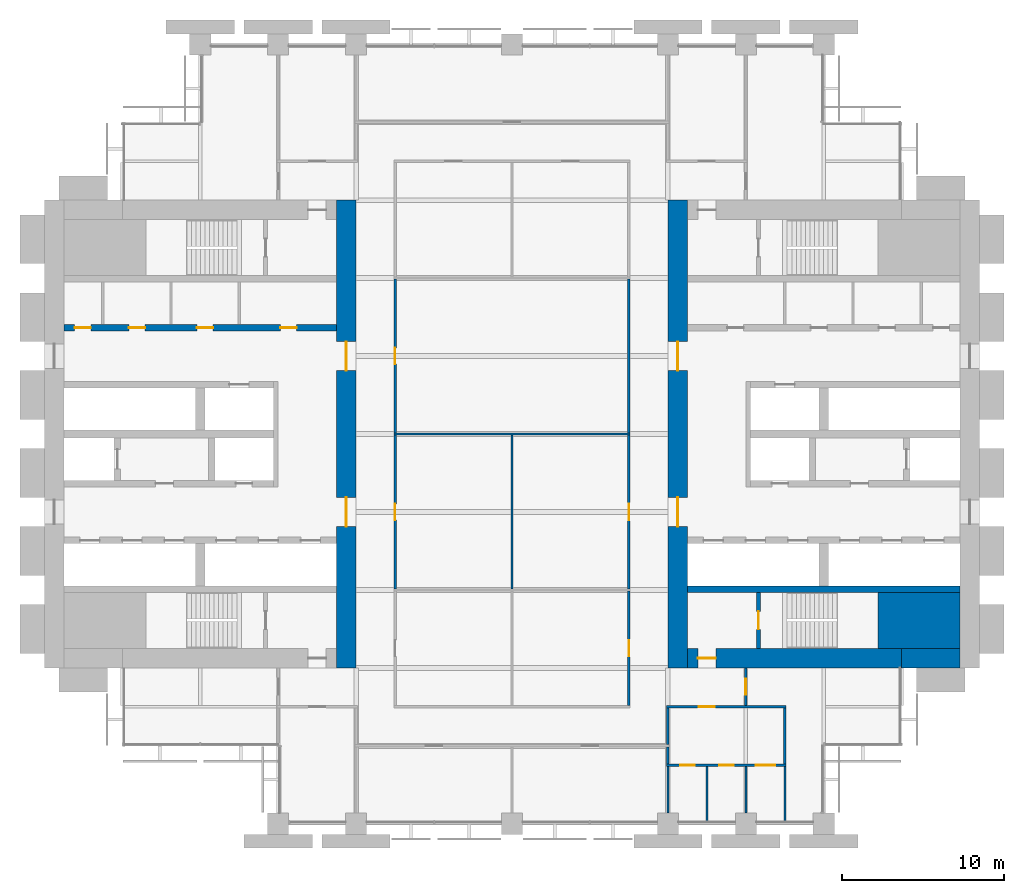
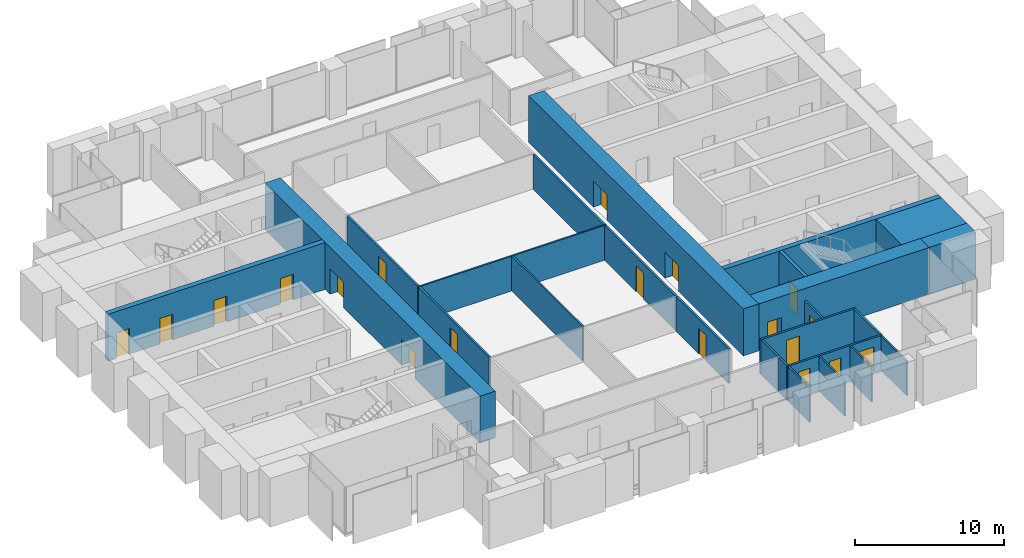
# One storey, part 10 of 14: 25 walls, 19 doors, 19 openings.
"""IFC4 building model written with IfcOpenShell, lengths in metres."""

from ifc_helpers import new_model, si_unit, direction, frame, frame_2d, origin, place, context, subcontext, project, spatial, rectangle, extrude, material, layer, layer_set, type_object, element, fill, save


model = new_model("IFC4")

# Units and contexts
model_context = context("Model", 3, precision=1e-05, world=origin(), true_north=direction((0.0, 1.0)))
body_context = subcontext(model_context, "Body", "Model", "MODEL_VIEW")
ifc_project = project(units=[si_unit("LENGTHUNIT", "METRE"), si_unit("AREAUNIT", "SQUARE_METRE"), si_unit("VOLUMEUNIT", "CUBIC_METRE"), si_unit("PLANEANGLEUNIT", "RADIAN"), si_unit("MASSUNIT", "GRAM", prefix="KILO")], contexts=[model_context])

# Site, building, storey
site_placement = place(None, origin())
site = spatial("IfcSite", under=ifc_project, at=site_placement, CompositionType="ELEMENT")
building_placement = place(site_placement, origin())
building = spatial("IfcBuilding", under=site, at=building_placement, Name="Baori Bourse Tower", CompositionType="ELEMENT")
storey_placement = place(building_placement, frame((0.0, 0.0, 43.0)))
storey = spatial("IfcBuildingStorey", under=building, at=storey_placement, Name="L08", CompositionType="ELEMENT", Elevation=43.0)

# Wall
ifc_material_1 = material(Name="Concrete f'c 70 MPa", Category="concrete")
wall_type_1 = type_object("IfcWallType", Name="Core corner block f'c 70", PredefinedType="SHEAR", material=ifc_material_1)
wall_1_placement = place(storey_placement, frame((51.35009765625, 12.52490234375, 0.0), z_axis=(0.0, 0.0, 1.0), x_axis=(1.0, 0.0, 0.0)))
element("IfcWall", 1, at=wall_1_placement, inside=storey, type_object=wall_type_1, Name="Core wall E05", PredefinedType="SHEAR", context=body_context, shape_type="SweptSolid", body=[
    extrude(rectangle(XDim=5.0498046875, YDim=3.449951171875, at=frame_2d((2.52490234375, 0.0))), origin(), (0.0, 0.0, 1.0), 3.840087890625),
])

# Wall, openings, doors
ifc_material_2 = material(Name="Concrete f'c 70 MPa", Category="concrete")
ifc_layer_1 = layer(ifc_material_2, 1.199951171875)
ifc_layer_set_1 = layer_set([ifc_layer_1], Name="Core wall 1200 f'c 70")
wall_type_2 = type_object("IfcWallType", Name="Core wall 1200 f'c 70", PredefinedType="SHEAR", material=ifc_layer_set_1)
wall_2_placement = place(storey_placement, frame((18.60009765625, 38.39990234375, 0.0), z_axis=(0.0, 0.0, 1.0), x_axis=(0.0, -1.0, 0.0)))
wall_2 = element("IfcWall", 2, at=wall_2_placement, inside=storey, type_object=wall_type_2, Name="Core wall W04", PredefinedType="SHEAR", context=body_context, shape_type="SweptSolid", body=[
    extrude(rectangle(XDim=28.7998046875, YDim=1.199951171875, at=frame_2d((14.39990234375, 0.0))), origin(), (0.0, 0.0, 1.0), 3.840087890625),
])
opening_1_placement = place(wall_2_placement, frame((18.300048828125, 0.0, 0.0)))
opening_1 = element("IfcOpeningElement", 3, at=opening_1_placement, cuts=wall_2, Name="Opening L08-D107", PredefinedType="OPENING", context=body_context, shape_type="SweptSolid", body=[
    extrude(rectangle(XDim=1.800048828125, YDim=2.10009765625, at=frame_2d((0.89990234375, 1.050048828125))), frame((0.0, 0.60986328125, 0.0), z_axis=(0.0, -1.0, 0.0), x_axis=(1.0, 0.0, 0.0)), (0.0, 0.0, 1.0), 1.219970703125),
])
opening_2_placement = place(wall_2_placement, frame((8.699951171875, 0.0, 0.0)))
opening_2 = element("IfcOpeningElement", 4, at=opening_2_placement, cuts=wall_2, Name="Opening L08-D108", PredefinedType="OPENING", context=body_context, shape_type="SweptSolid", body=[
    extrude(rectangle(XDim=1.800048828125, YDim=2.10009765625, at=frame_2d((0.89990234375, 1.050048828125))), frame((0.0, 0.60986328125, 0.0), z_axis=(0.0, -1.0, 0.0), x_axis=(1.0, 0.0, 0.0)), (0.0, 0.0, 1.0), 1.219970703125),
])
ifc_material_3 = material(Name="Painted steel door", Category="steel")
door_type_1 = type_object("IfcDoorType", Name="Core lobby door 1800", OperationType="DOUBLE_DOOR_SINGLE_SWING", PredefinedType="DOOR", material=ifc_material_3)
door_1_placement = place(opening_1_placement, origin())
door_1 = element("IfcDoor", 5, at=door_1_placement, inside=storey, type_object=door_type_1, Name="Lobby door W L08", OperationType="DOUBLE_DOOR_SINGLE_SWING", OverallHeight=2.10009765625, OverallWidth=1.800048828125, PredefinedType="DOOR", context=body_context, shape_type="SweptSolid", body=[
    extrude(rectangle(XDim=1.800048828125, YDim=2.10009765625, at=frame_2d((0.89990234375, 1.050048828125))), frame((0.0, 0.02490234375, 0.0), z_axis=(0.0, -1.0, 0.0), x_axis=(1.0, 0.0, 0.0)), (0.0, 0.0, 1.0), 0.050048828125),
])
fill(opening_1, door_1)
door_2_placement = place(opening_2_placement, origin())
door_2 = element("IfcDoor", 6, at=door_2_placement, inside=storey, type_object=door_type_1, Name="Lobby door W L08", OperationType="DOUBLE_DOOR_SINGLE_SWING", OverallHeight=2.10009765625, OverallWidth=1.800048828125, PredefinedType="DOOR", context=body_context, shape_type="SweptSolid", body=[
    extrude(rectangle(XDim=1.800048828125, YDim=2.10009765625, at=frame_2d((0.89990234375, 1.050048828125))), frame((0.0, 0.02490234375, 0.0), z_axis=(0.0, -1.0, 0.0), x_axis=(1.0, 0.0, 0.0)), (0.0, 0.0, 1.0), 0.050048828125),
])
fill(opening_2, door_2)

# Wall
wall_3_placement = place(storey_placement, frame((56.39990234375, 10.199951171875, 0.0), z_axis=(0.0, 0.0, 1.0), x_axis=(-1.0, 0.0, 0.0)))
element("IfcWall", 7, at=wall_3_placement, inside=storey, type_object=wall_type_2, Name="Core wall E02", PredefinedType="SHEAR", context=body_context, shape_type="SweptSolid", body=[
    extrude(rectangle(XDim=3.599853515625, YDim=1.199951171875, at=frame_2d((1.7998046875, 0.0))), origin(), (0.0, 0.0, 1.0), 3.840087890625),
])

# Wall, opening, door
wall_4_placement = place(storey_placement, frame((52.800048828125, 10.199951171875, 0.0), z_axis=(0.0, 0.0, 1.0), x_axis=(-1.0, 0.0, 0.0)))
wall_4 = element("IfcWall", 8, at=wall_4_placement, inside=storey, type_object=wall_type_2, Name="Core wall E03", PredefinedType="SHEAR", context=body_context, shape_type="SweptSolid", body=[
    extrude(rectangle(XDim=13.199951171875, YDim=1.199951171875, at=frame_2d((6.60009765625, 0.0))), origin(), (0.0, 0.0, 1.0), 3.840087890625),
])
opening_3_placement = place(wall_4_placement, frame((11.449951171875, 0.0, 0.0)))
opening_3 = element("IfcOpeningElement", 9, at=opening_3_placement, cuts=wall_4, Name="Opening L08-D202", PredefinedType="OPENING", context=body_context, shape_type="SweptSolid", body=[
    extrude(rectangle(XDim=1.10009765625, YDim=2.10009765625, at=frame_2d((0.550048828125, 1.050048828125))), frame((0.0, 0.60986328125, 0.0), z_axis=(0.0, -1.0, 0.0), x_axis=(1.0, 0.0, 0.0)), (0.0, 0.0, 1.0), 1.219970703125),
])
ifc_material_4 = material(Name="Painted steel door", Category="steel")
door_type_2 = type_object("IfcDoorType", Name="Stair door 1100", OperationType="SINGLE_SWING_LEFT", PredefinedType="DOOR", material=ifc_material_4)
door_3_placement = place(opening_3_placement, origin())
door_3 = element("IfcDoor", 10, at=door_3_placement, inside=storey, type_object=door_type_2, Name="Stair vestibule door A E L08", OperationType="SINGLE_SWING_LEFT", OverallHeight=2.10009765625, OverallWidth=1.10009765625, PredefinedType="DOOR", context=body_context, shape_type="SweptSolid", body=[
    extrude(rectangle(XDim=1.10009765625, YDim=2.10009765625, at=frame_2d((0.550048828125, 1.050048828125))), frame((0.0, 0.02490234375, 0.0), z_axis=(0.0, -1.0, 0.0), x_axis=(1.0, 0.0, 0.0)), (0.0, 0.0, 1.0), 0.050048828125),
])
fill(opening_3, door_3)

# Wall, openings, doors
wall_5_placement = place(storey_placement, frame((39.0, 9.60009765625, 0.0), z_axis=(0.0, 0.0, 1.0), x_axis=(0.0, 1.0, 0.0)))
wall_5 = element("IfcWall", 11, at=wall_5_placement, inside=storey, type_object=wall_type_2, Name="Core wall E04", PredefinedType="SHEAR", context=body_context, shape_type="SweptSolid", body=[
    extrude(rectangle(XDim=28.7998046875, YDim=1.199951171875, at=frame_2d((14.39990234375, 0.0))), origin(), (0.0, 0.0, 1.0), 3.840087890625),
])
opening_4_placement = place(wall_5_placement, frame((8.699951171875, 0.0, 0.0)))
opening_4 = element("IfcOpeningElement", 12, at=opening_4_placement, cuts=wall_5, Name="Opening L08-D207", PredefinedType="OPENING", context=body_context, shape_type="SweptSolid", body=[
    extrude(rectangle(XDim=1.800048828125, YDim=2.10009765625, at=frame_2d((0.89990234375, 1.050048828125))), frame((0.0, 0.60986328125, 0.0), z_axis=(0.0, -1.0, 0.0), x_axis=(1.0, 0.0, 0.0)), (0.0, 0.0, 1.0), 1.219970703125),
])
opening_5_placement = place(wall_5_placement, frame((18.300048828125, 0.0, 0.0)))
opening_5 = element("IfcOpeningElement", 13, at=opening_5_placement, cuts=wall_5, Name="Opening L08-D208", PredefinedType="OPENING", context=body_context, shape_type="SweptSolid", body=[
    extrude(rectangle(XDim=1.800048828125, YDim=2.10009765625, at=frame_2d((0.89990234375, 1.050048828125))), frame((0.0, 0.60986328125, 0.0), z_axis=(0.0, -1.0, 0.0), x_axis=(1.0, 0.0, 0.0)), (0.0, 0.0, 1.0), 1.219970703125),
])
door_4_placement = place(opening_4_placement, origin())
door_4 = element("IfcDoor", 14, at=door_4_placement, inside=storey, type_object=door_type_1, Name="Lobby door E L08", OperationType="DOUBLE_DOOR_SINGLE_SWING", OverallHeight=2.10009765625, OverallWidth=1.800048828125, PredefinedType="DOOR", context=body_context, shape_type="SweptSolid", body=[
    extrude(rectangle(XDim=1.800048828125, YDim=2.10009765625, at=frame_2d((0.89990234375, 1.050048828125))), frame((0.0, 0.02490234375, 0.0), z_axis=(0.0, -1.0, 0.0), x_axis=(1.0, 0.0, 0.0)), (0.0, 0.0, 1.0), 0.050048828125),
])
fill(opening_4, door_4)
door_5_placement = place(opening_5_placement, origin())
door_5 = element("IfcDoor", 15, at=door_5_placement, inside=storey, type_object=door_type_1, Name="Lobby door E L08", OperationType="DOUBLE_DOOR_SINGLE_SWING", OverallHeight=2.10009765625, OverallWidth=1.800048828125, PredefinedType="DOOR", context=body_context, shape_type="SweptSolid", body=[
    extrude(rectangle(XDim=1.800048828125, YDim=2.10009765625, at=frame_2d((0.89990234375, 1.050048828125))), frame((0.0, 0.02490234375, 0.0), z_axis=(0.0, -1.0, 0.0), x_axis=(1.0, 0.0, 0.0)), (0.0, 0.0, 1.0), 0.050048828125),
])
fill(opening_5, door_5)

ifc_material_5 = material(Name="Gypsum board partition")
ifc_layer_2 = layer(ifc_material_5, 0.14990234375)
ifc_layer_set_2 = layer_set([ifc_layer_2], Name="Corridor partition 150")
wall_type_3 = type_object("IfcWallType", Name="Corridor partition 150", PredefinedType="PARTITIONING", material=ifc_layer_set_2)
wall_6_placement = place(storey_placement, frame((38.324951171875, 3.60009765625, 0.0), z_axis=(0.0, 0.0, 1.0), x_axis=(1.0, 0.0, 0.0)))
wall_6 = element("IfcWall", 16, at=wall_6_placement, inside=storey, type_object=wall_type_3, Name="Partition", PredefinedType="PARTITIONING", context=body_context, shape_type="SweptSolid", body=[
    extrude(rectangle(XDim=7.35009765625, YDim=0.14990234375, at=frame_2d((3.675048828125, 0.0))), origin(), (0.0, 0.0, 1.0), 2.849365234375),
])
opening_6_placement = place(wall_6_placement, frame((0.824951171875, 0.0, 0.0)))
opening_6 = element("IfcOpeningElement", 17, at=opening_6_placement, cuts=wall_6, Name="Opening L08-D01", PredefinedType="OPENING", context=body_context, shape_type="SweptSolid", body=[
    extrude(rectangle(XDim=0.89990234375, YDim=2.10009765625, at=frame_2d((0.449951171875, 1.050048828125))), frame((0.0, 0.0849609375, 0.0), z_axis=(0.0, -1.0, 0.0), x_axis=(1.0, 0.0, 0.0)), (0.0, 0.0, 1.0), 0.169921875),
])
opening_7_placement = place(wall_6_placement, frame((3.22509765625, 0.0, 0.0)))
opening_7 = element("IfcOpeningElement", 18, at=opening_7_placement, cuts=wall_6, Name="Opening L08-D02", PredefinedType="OPENING", context=body_context, shape_type="SweptSolid", body=[
    extrude(rectangle(XDim=0.89990234375, YDim=2.10009765625, at=frame_2d((0.449951171875, 1.050048828125))), frame((0.0, 0.0849609375, 0.0), z_axis=(0.0, -1.0, 0.0), x_axis=(1.0, 0.0, 0.0)), (0.0, 0.0, 1.0), 0.169921875),
])
opening_8_placement = place(wall_6_placement, frame((5.47509765625, 0.0, 0.0)))
opening_8 = element("IfcOpeningElement", 19, at=opening_8_placement, cuts=wall_6, Name="Opening L08-D03", PredefinedType="OPENING", context=body_context, shape_type="SweptSolid", body=[
    extrude(rectangle(XDim=1.199951171875, YDim=2.10009765625, at=frame_2d((0.60009765625, 1.050048828125))), frame((0.0, 0.0849609375, 0.0), z_axis=(0.0, -1.0, 0.0), x_axis=(1.0, 0.0, 0.0)), (0.0, 0.0, 1.0), 0.169921875),
])
ifc_material_6 = material(Name="Timber door leaf", Category="wood")
door_type_3 = type_object("IfcDoorType", Name="Door 1200 x 2100", OperationType="SINGLE_SWING_LEFT", PredefinedType="DOOR", material=ifc_material_6)
door_6_placement = place(opening_8_placement, origin())
door_6 = element("IfcDoor", 20, at=door_6_placement, inside=storey, type_object=door_type_3, Name="Door", OperationType="SINGLE_SWING_RIGHT", OverallHeight=2.10009765625, OverallWidth=1.199951171875, PredefinedType="DOOR", context=body_context, shape_type="SweptSolid", body=[
    extrude(rectangle(XDim=1.199951171875, YDim=2.10009765625, at=frame_2d((0.60009765625, 1.050048828125))), frame((0.0, 0.02490234375, 0.0), z_axis=(0.0, -1.0, 0.0), x_axis=(1.0, 0.0, 0.0)), (0.0, 0.0, 1.0), 0.050048828125),
])
fill(opening_8, door_6)
ifc_material_7 = material(Name="Timber door leaf", Category="wood")
door_type_4 = type_object("IfcDoorType", Name="Door 900 x 2100", OperationType="SINGLE_SWING_LEFT", PredefinedType="DOOR", material=ifc_material_7)
door_7_placement = place(opening_6_placement, origin())
door_7 = element("IfcDoor", 21, at=door_7_placement, inside=storey, type_object=door_type_4, Name="Door", OperationType="SINGLE_SWING_LEFT", OverallHeight=2.10009765625, OverallWidth=0.89990234375, PredefinedType="DOOR", context=body_context, shape_type="SweptSolid", body=[
    extrude(rectangle(XDim=0.89990234375, YDim=2.10009765625, at=frame_2d((0.449951171875, 1.050048828125))), frame((0.0, 0.02490234375, 0.0), z_axis=(0.0, -1.0, 0.0), x_axis=(1.0, 0.0, 0.0)), (0.0, 0.0, 1.0), 0.050048828125),
])
fill(opening_6, door_7)
door_8_placement = place(opening_7_placement, origin())
door_8 = element("IfcDoor", 22, at=door_8_placement, inside=storey, type_object=door_type_4, Name="Door", OperationType="SINGLE_SWING_LEFT", OverallHeight=2.10009765625, OverallWidth=0.89990234375, PredefinedType="DOOR", context=body_context, shape_type="SweptSolid", body=[
    extrude(rectangle(XDim=0.89990234375, YDim=2.10009765625, at=frame_2d((0.449951171875, 1.050048828125))), frame((0.0, 0.02490234375, 0.0), z_axis=(0.0, -1.0, 0.0), x_axis=(1.0, 0.0, 0.0)), (0.0, 0.0, 1.0), 0.050048828125),
])
fill(opening_7, door_8)

# Wall, opening, door
wall_7_placement = place(storey_placement, frame((38.324951171875, 7.199951171875, 0.0), z_axis=(0.0, 0.0, 1.0), x_axis=(1.0, 0.0, 0.0)))
wall_7 = element("IfcWall", 23, at=wall_7_placement, inside=storey, type_object=wall_type_3, Name="Partition", PredefinedType="PARTITIONING", context=body_context, shape_type="SweptSolid", body=[
    extrude(rectangle(XDim=7.35009765625, YDim=0.14990234375, at=frame_2d((3.675048828125, 0.0))), origin(), (0.0, 0.0, 1.0), 2.849365234375),
])
opening_9_placement = place(wall_7_placement, frame((1.97509765625, 0.0, 0.0)))
opening_9 = element("IfcOpeningElement", 24, at=opening_9_placement, cuts=wall_7, Name="Opening L08-D07", PredefinedType="OPENING", context=body_context, shape_type="SweptSolid", body=[
    extrude(rectangle(XDim=1.0, YDim=2.10009765625, at=frame_2d((0.5, 1.050048828125))), frame((0.0, 0.0849609375, 0.0), z_axis=(0.0, -1.0, 0.0), x_axis=(1.0, 0.0, 0.0)), (0.0, 0.0, 1.0), 0.169921875),
])
ifc_material_8 = material(Name="Timber door leaf", Category="wood")
door_type_5 = type_object("IfcDoorType", Name="Door 1000 x 2100", OperationType="SINGLE_SWING_LEFT", PredefinedType="DOOR", material=ifc_material_8)
door_9_placement = place(opening_9_placement, origin())
door_9 = element("IfcDoor", 25, at=door_9_placement, inside=storey, type_object=door_type_5, Name="Door", OperationType="SINGLE_SWING_RIGHT", OverallHeight=2.10009765625, OverallWidth=1.0, PredefinedType="DOOR", context=body_context, shape_type="SweptSolid", body=[
    extrude(rectangle(XDim=1.0, YDim=2.10009765625, at=frame_2d((0.5, 1.050048828125))), frame((0.0, 0.02490234375, 0.0), z_axis=(0.0, -1.0, 0.0), x_axis=(1.0, 0.0, 0.0)), (0.0, 0.0, 1.0), 0.050048828125),
])
fill(opening_9, door_9)

wall_8_placement = place(storey_placement, frame((21.60009765625, 14.46240234375, 0.0), z_axis=(0.0, 0.0, 1.0), x_axis=(0.0, 1.0, 0.0)))
wall_8 = element("IfcWall", 26, at=wall_8_placement, inside=storey, type_object=wall_type_3, Name="Partition", PredefinedType="PARTITIONING", context=body_context, shape_type="SweptSolid", body=[
    extrude(rectangle(XDim=9.47509765625, YDim=0.14990234375, at=frame_2d((4.737548828125, 0.0))), origin(), (0.0, 0.0, 1.0), 2.849365234375),
])
opening_10_placement = place(wall_8_placement, frame((4.237548828125, 0.0, 0.0)))
opening_10 = element("IfcOpeningElement", 27, at=opening_10_placement, cuts=wall_8, Name="Opening L08-D16", PredefinedType="OPENING", context=body_context, shape_type="SweptSolid", body=[
    extrude(rectangle(XDim=1.0, YDim=2.10009765625, at=frame_2d((0.5, 1.050048828125))), frame((0.0, 0.0849609375, 0.0), z_axis=(0.0, -1.0, 0.0), x_axis=(1.0, 0.0, 0.0)), (0.0, 0.0, 1.0), 0.169921875),
])
door_10_placement = place(opening_10_placement, origin())
door_10 = element("IfcDoor", 28, at=door_10_placement, inside=storey, type_object=door_type_5, Name="Door", OperationType="SINGLE_SWING_LEFT", OverallHeight=2.10009765625, OverallWidth=1.0, PredefinedType="DOOR", context=body_context, shape_type="SweptSolid", body=[
    extrude(rectangle(XDim=1.0, YDim=2.10009765625, at=frame_2d((0.5, 1.050048828125))), frame((0.0, 0.02490234375, 0.0), z_axis=(0.0, -1.0, 0.0), x_axis=(1.0, 0.0, 0.0)), (0.0, 0.0, 1.0), 0.050048828125),
])
fill(opening_10, door_10)

wall_9_placement = place(storey_placement, frame((21.60009765625, 24.0625, 0.0), z_axis=(0.0, 0.0, 1.0), x_axis=(0.0, 1.0, 0.0)))
wall_9 = element("IfcWall", 29, at=wall_9_placement, inside=storey, type_object=wall_type_3, Name="Partition", PredefinedType="PARTITIONING", context=body_context, shape_type="SweptSolid", body=[
    extrude(rectangle(XDim=9.47509765625, YDim=0.14990234375, at=frame_2d((4.737548828125, 0.0))), origin(), (0.0, 0.0, 1.0), 2.849365234375),
])
opening_11_placement = place(wall_9_placement, frame((4.237548828125, 0.0, 0.0)))
opening_11 = element("IfcOpeningElement", 30, at=opening_11_placement, cuts=wall_9, Name="Opening L08-D17", PredefinedType="OPENING", context=body_context, shape_type="SweptSolid", body=[
    extrude(rectangle(XDim=1.0, YDim=2.10009765625, at=frame_2d((0.5, 1.050048828125))), frame((0.0, 0.0849609375, 0.0), z_axis=(0.0, -1.0, 0.0), x_axis=(1.0, 0.0, 0.0)), (0.0, 0.0, 1.0), 0.169921875),
])
door_11_placement = place(opening_11_placement, origin())
door_11 = element("IfcDoor", 31, at=door_11_placement, inside=storey, type_object=door_type_5, Name="Door", OperationType="SINGLE_SWING_LEFT", OverallHeight=2.10009765625, OverallWidth=1.0, PredefinedType="DOOR", context=body_context, shape_type="SweptSolid", body=[
    extrude(rectangle(XDim=1.0, YDim=2.10009765625, at=frame_2d((0.5, 1.050048828125))), frame((0.0, 0.02490234375, 0.0), z_axis=(0.0, -1.0, 0.0), x_axis=(1.0, 0.0, 0.0)), (0.0, 0.0, 1.0), 0.050048828125),
])
fill(opening_11, door_11)

wall_10_placement = place(storey_placement, frame((36.0, 7.27490234375, 0.0), z_axis=(0.0, 0.0, 1.0), x_axis=(0.0, 1.0, 0.0)))
wall_10 = element("IfcWall", 32, at=wall_10_placement, inside=storey, type_object=wall_type_3, Name="Partition", PredefinedType="PARTITIONING", context=body_context, shape_type="SweptSolid", body=[
    extrude(rectangle(XDim=7.0625, YDim=0.14990234375, at=frame_2d((3.53125, 0.0))), origin(), (0.0, 0.0, 1.0), 2.849365234375),
])
opening_12_placement = place(wall_10_placement, frame((3.03125, 0.0, 0.0)))
opening_12 = element("IfcOpeningElement", 33, at=opening_12_placement, cuts=wall_10, Name="Opening L08-D18", PredefinedType="OPENING", context=body_context, shape_type="SweptSolid", body=[
    extrude(rectangle(XDim=1.0, YDim=2.10009765625, at=frame_2d((0.5, 1.050048828125))), frame((0.0, 0.0849609375, 0.0), z_axis=(0.0, -1.0, 0.0), x_axis=(1.0, 0.0, 0.0)), (0.0, 0.0, 1.0), 0.169921875),
])
door_12_placement = place(opening_12_placement, origin())
door_12 = element("IfcDoor", 34, at=door_12_placement, inside=storey, type_object=door_type_5, Name="Door", OperationType="SINGLE_SWING_RIGHT", OverallHeight=2.10009765625, OverallWidth=1.0, PredefinedType="DOOR", context=body_context, shape_type="SweptSolid", body=[
    extrude(rectangle(XDim=1.0, YDim=2.10009765625, at=frame_2d((0.5, 1.050048828125))), frame((0.0, 0.02490234375, 0.0), z_axis=(0.0, -1.0, 0.0), x_axis=(1.0, 0.0, 0.0)), (0.0, 0.0, 1.0), 0.050048828125),
])
fill(opening_12, door_12)

wall_11_placement = place(storey_placement, frame((36.0, 14.46240234375, 0.0), z_axis=(0.0, 0.0, 1.0), x_axis=(0.0, 1.0, 0.0)))
wall_11 = element("IfcWall", 35, at=wall_11_placement, inside=storey, type_object=wall_type_3, Name="Partition", PredefinedType="PARTITIONING", context=body_context, shape_type="SweptSolid", body=[
    extrude(rectangle(XDim=9.47509765625, YDim=0.14990234375, at=frame_2d((4.737548828125, 0.0))), origin(), (0.0, 0.0, 1.0), 2.849365234375),
])
opening_13_placement = place(wall_11_placement, frame((4.237548828125, 0.0, 0.0)))
opening_13 = element("IfcOpeningElement", 36, at=opening_13_placement, cuts=wall_11, Name="Opening L08-D19", PredefinedType="OPENING", context=body_context, shape_type="SweptSolid", body=[
    extrude(rectangle(XDim=1.0, YDim=2.10009765625, at=frame_2d((0.5, 1.050048828125))), frame((0.0, 0.0849609375, 0.0), z_axis=(0.0, -1.0, 0.0), x_axis=(1.0, 0.0, 0.0)), (0.0, 0.0, 1.0), 0.169921875),
])
door_13_placement = place(opening_13_placement, origin())
door_13 = element("IfcDoor", 37, at=door_13_placement, inside=storey, type_object=door_type_5, Name="Door", OperationType="SINGLE_SWING_RIGHT", OverallHeight=2.10009765625, OverallWidth=1.0, PredefinedType="DOOR", context=body_context, shape_type="SweptSolid", body=[
    extrude(rectangle(XDim=1.0, YDim=2.10009765625, at=frame_2d((0.5, 1.050048828125))), frame((0.0, 0.02490234375, 0.0), z_axis=(0.0, -1.0, 0.0), x_axis=(1.0, 0.0, 0.0)), (0.0, 0.0, 1.0), 0.050048828125),
])
fill(opening_13, door_13)

# Walls
wall_12_placement = place(storey_placement, frame((36.0, 24.0625, 0.0), z_axis=(0.0, 0.0, 1.0), x_axis=(0.0, 1.0, 0.0)))
element("IfcWall", 38, at=wall_12_placement, inside=storey, type_object=wall_type_3, Name="Partition", PredefinedType="PARTITIONING", context=body_context, shape_type="SweptSolid", body=[
    extrude(rectangle(XDim=9.47509765625, YDim=0.14990234375, at=frame_2d((4.737548828125, 0.0))), origin(), (0.0, 0.0, 1.0), 2.849365234375),
])
wall_13_placement = place(storey_placement, frame((38.39990234375, 3.675048828125, 0.0), z_axis=(0.0, 0.0, 1.0), x_axis=(0.0, 1.0, 0.0)))
element("IfcWall", 39, at=wall_13_placement, inside=storey, type_object=wall_type_3, Name="Partition", PredefinedType="PARTITIONING", context=body_context, shape_type="SweptSolid", body=[
    extrude(rectangle(XDim=1.050048828125, YDim=0.14990234375, at=frame_2d((0.52490234375, 0.0))), origin(), (0.0, 0.0, 1.0), 2.849365234375),
])
wall_14_placement = place(storey_placement, frame((38.39990234375, 4.875, 0.0), z_axis=(0.0, 0.0, 1.0), x_axis=(0.0, 1.0, 0.0)))
element("IfcWall", 40, at=wall_14_placement, inside=storey, type_object=wall_type_3, Name="Partition", PredefinedType="PARTITIONING", context=body_context, shape_type="SweptSolid", body=[
    extrude(rectangle(XDim=2.25, YDim=0.14990234375, at=frame_2d((1.125, 0.0))), origin(), (0.0, 0.0, 1.0), 2.849365234375),
])

# Wall, opening, door
wall_15_placement = place(storey_placement, frame((43.199951171875, 7.27490234375, 0.0), z_axis=(0.0, 0.0, 1.0), x_axis=(0.0, 1.0, 0.0)))
wall_15 = element("IfcWall", 41, at=wall_15_placement, inside=storey, type_object=wall_type_3, Name="Partition", PredefinedType="PARTITIONING", context=body_context, shape_type="SweptSolid", body=[
    extrude(rectangle(XDim=2.3251953125, YDim=0.14990234375, at=frame_2d((1.16259765625, 0.0))), origin(), (0.0, 0.0, 1.0), 2.849365234375),
])
opening_14_placement = place(wall_15_placement, frame((0.66259765625, 0.0, 0.0)))
opening_14 = element("IfcOpeningElement", 42, at=opening_14_placement, cuts=wall_15, Name="Opening L08-D20", PredefinedType="OPENING", context=body_context, shape_type="SweptSolid", body=[
    extrude(rectangle(XDim=1.0, YDim=2.10009765625, at=frame_2d((0.5, 1.050048828125))), frame((0.0, 0.0849609375, 0.0), z_axis=(0.0, -1.0, 0.0), x_axis=(1.0, 0.0, 0.0)), (0.0, 0.0, 1.0), 0.169921875),
])
door_14_placement = place(opening_14_placement, origin())
door_14 = element("IfcDoor", 43, at=door_14_placement, inside=storey, type_object=door_type_5, Name="Door", OperationType="SINGLE_SWING_LEFT", OverallHeight=2.10009765625, OverallWidth=1.0, PredefinedType="DOOR", context=body_context, shape_type="SweptSolid", body=[
    extrude(rectangle(XDim=1.0, YDim=2.10009765625, at=frame_2d((0.5, 1.050048828125))), frame((0.0, 0.02490234375, 0.0), z_axis=(0.0, -1.0, 0.0), x_axis=(1.0, 0.0, 0.0)), (0.0, 0.0, 1.0), 0.050048828125),
])
fill(opening_14, door_14)

# Walls
wall_16_placement = place(storey_placement, frame((45.60009765625, 3.675048828125, 0.0), z_axis=(0.0, 0.0, 1.0), x_axis=(0.0, 1.0, 0.0)))
element("IfcWall", 44, at=wall_16_placement, inside=storey, type_object=wall_type_3, Name="Partition", PredefinedType="PARTITIONING", context=body_context, shape_type="SweptSolid", body=[
    extrude(rectangle(XDim=3.449951171875, YDim=0.14990234375, at=frame_2d((1.72509765625, 0.0))), origin(), (0.0, 0.0, 1.0), 2.849365234375),
])
ifc_material_9 = material(Name="Gypsum board partition")
ifc_layer_3 = layer(ifc_material_9, 0.125)
ifc_layer_set_3 = layer_set([ifc_layer_3], Name="Partition 125")
wall_type_4 = type_object("IfcWallType", Name="Partition 125", PredefinedType="PARTITIONING", material=ifc_layer_set_3)
wall_17_placement = place(storey_placement, frame((21.52490234375, 24.0, 0.0), z_axis=(0.0, 0.0, 1.0), x_axis=(1.0, 0.0, 0.0)))
element("IfcWall", 45, at=wall_17_placement, inside=storey, type_object=wall_type_4, Name="Partition", PredefinedType="PARTITIONING", context=body_context, shape_type="SweptSolid", body=[
    extrude(rectangle(XDim=14.550048828125, YDim=0.125, at=frame_2d((7.27490234375, 0.0))), origin(), (0.0, 0.0, 1.0), 2.849365234375),
])
wall_18_placement = place(storey_placement, frame((28.800048828125, 14.46240234375, 0.0), z_axis=(0.0, 0.0, 1.0), x_axis=(0.0, 1.0, 0.0)))
element("IfcWall", 46, at=wall_18_placement, inside=storey, type_object=wall_type_4, Name="Partition", PredefinedType="PARTITIONING", context=body_context, shape_type="SweptSolid", body=[
    extrude(rectangle(XDim=9.47509765625, YDim=0.125, at=frame_2d((4.737548828125, 0.0))), origin(), (0.0, 0.0, 1.0), 2.849365234375),
])
wall_19_placement = place(storey_placement, frame((38.39990234375, 0.64990234375, 0.0), z_axis=(0.0, 0.0, 1.0), x_axis=(0.0, 1.0, 0.0)))
element("IfcWall", 47, at=wall_19_placement, inside=storey, type_object=wall_type_4, Name="Partition", PredefinedType="PARTITIONING", context=body_context, shape_type="SweptSolid", body=[
    extrude(rectangle(XDim=2.875, YDim=0.125, at=frame_2d((1.4375, 0.0))), origin(), (0.0, 0.0, 1.0), 2.849365234375),
])
wall_20_placement = place(storey_placement, frame((40.800048828125, 0.10009765625, 0.0), z_axis=(0.0, 0.0, 1.0), x_axis=(0.0, 1.0, 0.0)))
element("IfcWall", 48, at=wall_20_placement, inside=storey, type_object=wall_type_4, Name="Partition", PredefinedType="PARTITIONING", context=body_context, shape_type="SweptSolid", body=[
    extrude(rectangle(XDim=3.4248046875, YDim=0.125, at=frame_2d((1.71240234375, 0.0))), origin(), (0.0, 0.0, 1.0), 2.849365234375),
])
wall_21_placement = place(storey_placement, frame((43.199951171875, 0.64990234375, 0.0), z_axis=(0.0, 0.0, 1.0), x_axis=(0.0, 1.0, 0.0)))
element("IfcWall", 49, at=wall_21_placement, inside=storey, type_object=wall_type_4, Name="Partition", PredefinedType="PARTITIONING", context=body_context, shape_type="SweptSolid", body=[
    extrude(rectangle(XDim=2.875, YDim=0.125, at=frame_2d((1.4375, 0.0))), origin(), (0.0, 0.0, 1.0), 2.849365234375),
])
wall_22_placement = place(storey_placement, frame((45.60009765625, 0.10009765625, 0.0), z_axis=(0.0, 0.0, 1.0), x_axis=(0.0, 1.0, 0.0)))
element("IfcWall", 50, at=wall_22_placement, inside=storey, type_object=wall_type_4, Name="Partition", PredefinedType="PARTITIONING", context=body_context, shape_type="SweptSolid", body=[
    extrude(rectangle(XDim=3.4248046875, YDim=0.125, at=frame_2d((1.71240234375, 0.0))), origin(), (0.0, 0.0, 1.0), 2.849365234375),
])

# Wall, opening, door
ifc_material_10 = material(Name="Concrete f'c 70 MPa", Category="concrete")
ifc_layer_4 = layer(ifc_material_10, 0.25)
ifc_layer_set_4 = layer_set([ifc_layer_4], Name="Shaft wall 250 f'c 70")
wall_type_5 = type_object("IfcWallType", Name="Shaft wall 250 f'c 70", PredefinedType="SHEAR", material=ifc_layer_set_4)
wall_23_placement = place(storey_placement, frame((43.97509765625, 10.800048828125, 0.0), z_axis=(0.0, 0.0, 1.0), x_axis=(0.0, 1.0, 0.0)))
wall_23 = element("IfcWall", 51, at=wall_23_placement, inside=storey, type_object=wall_type_5, Name="Core wall E06", PredefinedType="SHEAR", context=body_context, shape_type="SweptSolid", body=[
    extrude(rectangle(XDim=3.449951171875, YDim=0.25, at=frame_2d((1.72509765625, 0.0))), origin(), (0.0, 0.0, 1.0), 3.840087890625),
])
opening_15_placement = place(wall_23_placement, frame((1.175048828125, 0.0, 0.0)))
opening_15 = element("IfcOpeningElement", 52, at=opening_15_placement, cuts=wall_23, Name="Opening L08-D201", PredefinedType="OPENING", context=body_context, shape_type="SweptSolid", body=[
    extrude(rectangle(XDim=1.10009765625, YDim=2.10009765625, at=frame_2d((0.550048828125, 1.050048828125))), frame((0.0, 0.135009765625, 0.0), z_axis=(0.0, -1.0, 0.0), x_axis=(1.0, 0.0, 0.0)), (0.0, 0.0, 1.0), 0.27001953125),
])
door_15_placement = place(opening_15_placement, origin())
door_15 = element("IfcDoor", 53, at=door_15_placement, inside=storey, type_object=door_type_2, Name="Stair door A E L08", OperationType="SINGLE_SWING_LEFT", OverallHeight=2.10009765625, OverallWidth=1.10009765625, PredefinedType="DOOR", context=body_context, shape_type="SweptSolid", body=[
    extrude(rectangle(XDim=1.10009765625, YDim=2.10009765625, at=frame_2d((0.550048828125, 1.050048828125))), frame((0.0, 0.02490234375, 0.0), z_axis=(0.0, -1.0, 0.0), x_axis=(1.0, 0.0, 0.0)), (0.0, 0.0, 1.0), 0.050048828125),
])
fill(opening_15, door_15)

# Wall, openings, doors
ifc_material_11 = material(Name="Concrete f'c 70 MPa", Category="concrete")
ifc_layer_5 = layer(ifc_material_11, 0.39990234375)
ifc_layer_set_5 = layer_set([ifc_layer_5], Name="Shaft wall 400 f'c 70")
wall_type_6 = type_object("IfcWallType", Name="Shaft wall 400 f'c 70", PredefinedType="SHEAR", material=ifc_layer_set_5)
wall_24_placement = place(storey_placement, frame((1.199951171875, 30.550048828125, 0.0), z_axis=(0.0, 0.0, 1.0), x_axis=(1.0, 0.0, 0.0)))
wall_24 = element("IfcWall", 54, at=wall_24_placement, inside=storey, type_object=wall_type_6, Name="Core wall W17", PredefinedType="SHEAR", context=body_context, shape_type="SweptSolid", body=[
    extrude(rectangle(XDim=16.800048828125, YDim=0.39990234375, at=frame_2d((8.39990234375, 0.0))), origin(), (0.0, 0.0, 1.0), 3.840087890625),
])
opening_16_placement = place(wall_24_placement, frame((0.66259765625, 0.0, 0.0)))
opening_16 = element("IfcOpeningElement", 55, at=opening_16_placement, cuts=wall_24, Name="Opening L08-D109", PredefinedType="OPENING", context=body_context, shape_type="SweptSolid", body=[
    extrude(rectangle(XDim=1.0, YDim=2.10009765625, at=frame_2d((0.5, 1.050048828125))), frame((0.0, 0.2099609375, 0.0), z_axis=(0.0, -1.0, 0.0), x_axis=(1.0, 0.0, 0.0)), (0.0, 0.0, 1.0), 0.419921875),
])
opening_17_placement = place(wall_24_placement, frame((4.0, 0.0, 0.0)))
opening_17 = element("IfcOpeningElement", 56, at=opening_17_placement, cuts=wall_24, Name="Opening L08-D110", PredefinedType="OPENING", context=body_context, shape_type="SweptSolid", body=[
    extrude(rectangle(XDim=1.0, YDim=2.10009765625, at=frame_2d((0.5, 1.050048828125))), frame((0.0, 0.2099609375, 0.0), z_axis=(0.0, -1.0, 0.0), x_axis=(1.0, 0.0, 0.0)), (0.0, 0.0, 1.0), 0.419921875),
])
opening_18_placement = place(wall_24_placement, frame((8.199951171875, 0.0, 0.0)))
opening_18 = element("IfcOpeningElement", 57, at=opening_18_placement, cuts=wall_24, Name="Opening L08-D111", PredefinedType="OPENING", context=body_context, shape_type="SweptSolid", body=[
    extrude(rectangle(XDim=1.0, YDim=2.10009765625, at=frame_2d((0.5, 1.050048828125))), frame((0.0, 0.2099609375, 0.0), z_axis=(0.0, -1.0, 0.0), x_axis=(1.0, 0.0, 0.0)), (0.0, 0.0, 1.0), 0.419921875),
])
opening_19_placement = place(wall_24_placement, frame((13.33740234375, 0.0, 0.0)))
opening_19 = element("IfcOpeningElement", 58, at=opening_19_placement, cuts=wall_24, Name="Opening L08-D112", PredefinedType="OPENING", context=body_context, shape_type="SweptSolid", body=[
    extrude(rectangle(XDim=1.0, YDim=2.10009765625, at=frame_2d((0.5, 1.050048828125))), frame((0.0, 0.2099609375, 0.0), z_axis=(0.0, -1.0, 0.0), x_axis=(1.0, 0.0, 0.0)), (0.0, 0.0, 1.0), 0.419921875),
])
ifc_material_12 = material(Name="Painted steel door", Category="steel")
door_type_6 = type_object("IfcDoorType", Name="Core door 1000", OperationType="SINGLE_SWING_LEFT", PredefinedType="DOOR", material=ifc_material_12)
door_16_placement = place(opening_16_placement, origin())
door_16 = element("IfcDoor", 59, at=door_16_placement, inside=storey, type_object=door_type_6, Name="Janitor'S Closet door W L08", OperationType="SINGLE_SWING_LEFT", OverallHeight=2.10009765625, OverallWidth=1.0, PredefinedType="DOOR", context=body_context, shape_type="SweptSolid", body=[
    extrude(rectangle(XDim=1.0, YDim=2.10009765625, at=frame_2d((0.5, 1.050048828125))), frame((0.0, 0.02490234375, 0.0), z_axis=(0.0, -1.0, 0.0), x_axis=(1.0, 0.0, 0.0)), (0.0, 0.0, 1.0), 0.050048828125),
])
fill(opening_16, door_16)
door_17_placement = place(opening_17_placement, origin())
door_17 = element("IfcDoor", 60, at=door_17_placement, inside=storey, type_object=door_type_6, Name="Women'S Wc door W L08", OperationType="SINGLE_SWING_LEFT", OverallHeight=2.10009765625, OverallWidth=1.0, PredefinedType="DOOR", context=body_context, shape_type="SweptSolid", body=[
    extrude(rectangle(XDim=1.0, YDim=2.10009765625, at=frame_2d((0.5, 1.050048828125))), frame((0.0, 0.02490234375, 0.0), z_axis=(0.0, -1.0, 0.0), x_axis=(1.0, 0.0, 0.0)), (0.0, 0.0, 1.0), 0.050048828125),
])
fill(opening_17, door_17)
door_18_placement = place(opening_18_placement, origin())
door_18 = element("IfcDoor", 61, at=door_18_placement, inside=storey, type_object=door_type_6, Name="Accessible Wc door W L08", OperationType="SINGLE_SWING_LEFT", OverallHeight=2.10009765625, OverallWidth=1.0, PredefinedType="DOOR", context=body_context, shape_type="SweptSolid", body=[
    extrude(rectangle(XDim=1.0, YDim=2.10009765625, at=frame_2d((0.5, 1.050048828125))), frame((0.0, 0.02490234375, 0.0), z_axis=(0.0, -1.0, 0.0), x_axis=(1.0, 0.0, 0.0)), (0.0, 0.0, 1.0), 0.050048828125),
])
fill(opening_18, door_18)
door_19_placement = place(opening_19_placement, origin())
door_19 = element("IfcDoor", 62, at=door_19_placement, inside=storey, type_object=door_type_6, Name="Men'S Wc door W L08", OperationType="SINGLE_SWING_LEFT", OverallHeight=2.10009765625, OverallWidth=1.0, PredefinedType="DOOR", context=body_context, shape_type="SweptSolid", body=[
    extrude(rectangle(XDim=1.0, YDim=2.10009765625, at=frame_2d((0.5, 1.050048828125))), frame((0.0, 0.02490234375, 0.0), z_axis=(0.0, -1.0, 0.0), x_axis=(1.0, 0.0, 0.0)), (0.0, 0.0, 1.0), 0.050048828125),
])
fill(opening_19, door_19)

# Wall
wall_25_placement = place(storey_placement, frame((39.60009765625, 14.449951171875, 0.0), z_axis=(0.0, 0.0, 1.0), x_axis=(1.0, 0.0, 0.0)))
element("IfcWall", 63, at=wall_25_placement, inside=storey, type_object=wall_type_6, Name="Core wall E07", PredefinedType="SHEAR", context=body_context, shape_type="SweptSolid", body=[
    extrude(rectangle(XDim=16.7998046875, YDim=0.39990234375, at=frame_2d((8.39990234375, 0.0))), origin(), (0.0, 0.0, 1.0), 3.840087890625),
])

save(model, "model.ifc")
